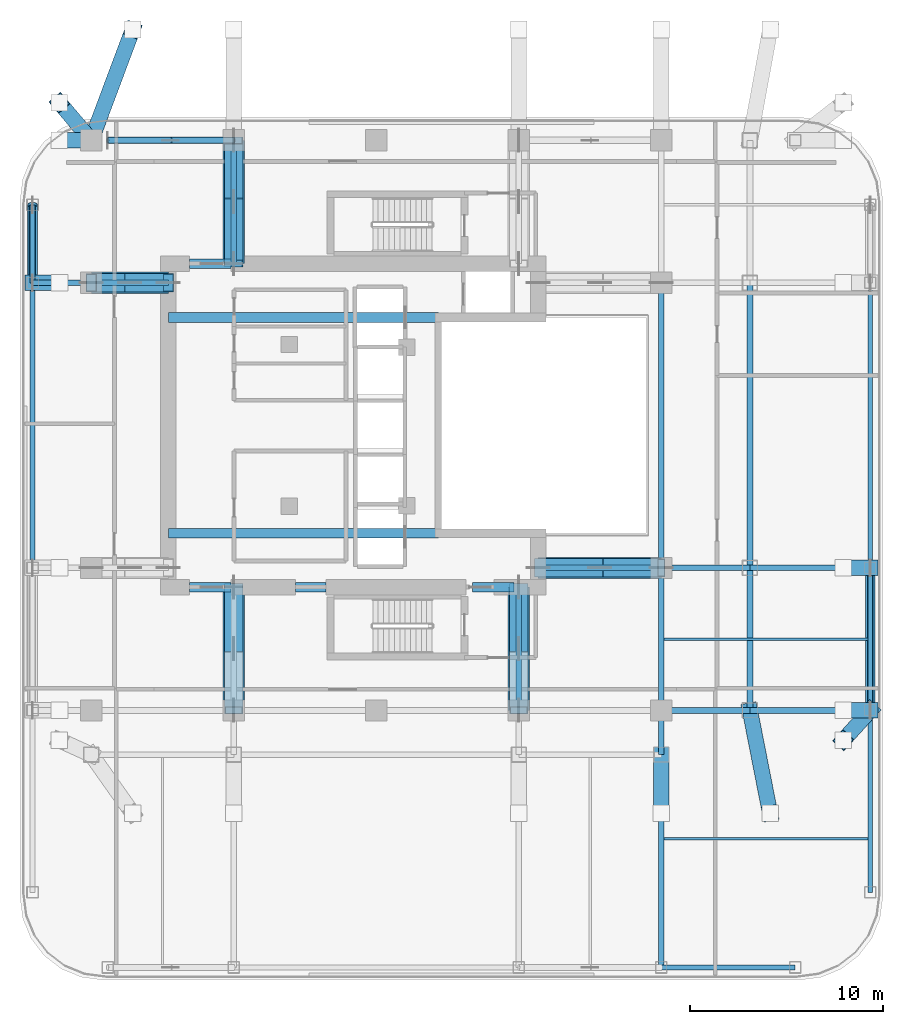
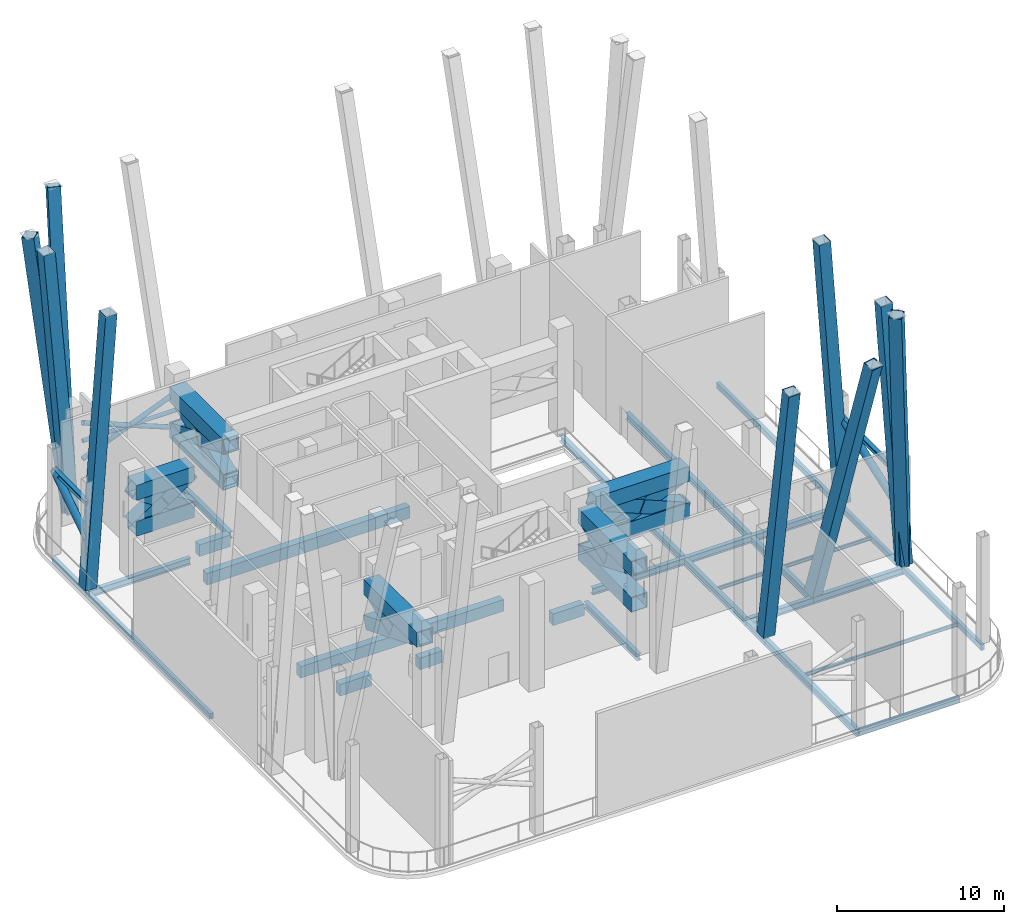
# One storey, part 2 of 9: 39 members, 29 beams.
"""IFC4 building model written with IfcOpenShell, lengths in metres."""

from ifc_helpers import new_model, si_unit, direction, frame, origin, origin_2d, place, context, subcontext, project, spatial, rectangle, hollow_rectangle, hollow_circle, i_section, extrude, material, material_profile, profile_set, type_object, element, save


model = new_model("IFC4")

# Units and contexts
model_context = context("Model", 3, precision=1e-05, world=origin(), true_north=direction((0.0, 1.0)))
body_context = subcontext(model_context, "Body", "Model", "MODEL_VIEW")
ifc_project = project(units=[si_unit("LENGTHUNIT", "METRE"), si_unit("AREAUNIT", "SQUARE_METRE"), si_unit("VOLUMEUNIT", "CUBIC_METRE"), si_unit("PLANEANGLEUNIT", "RADIAN"), si_unit("MASSUNIT", "GRAM", prefix="KILO")], contexts=[model_context])

# Site, building, storey
site_placement = place(None, origin())
site = spatial("IfcSite", under=ifc_project, at=site_placement, CompositionType="ELEMENT")
building_placement = place(site_placement, origin())
building = spatial("IfcBuilding", under=site, at=building_placement, Name="Khorvyn Point Tower", CompositionType="ELEMENT")
storey_placement = place(building_placement, frame((0.0, 0.0, 235.199951171875)))
storey = spatial("IfcBuildingStorey", under=building, at=storey_placement, Name="L58", CompositionType="ELEMENT", Elevation=235.199951171875)

# Beams
ifc_material_1 = material(Name="Concrete C45/55", Category="concrete")
ifc_material_profile_1 = material_profile(ifc_material_1, rectangle(XDim=0.5, YDim=0.85009765625, at=origin_2d()))
ifc_profile_set_1 = profile_set([ifc_material_profile_1], Name="Concrete C45/55 RC500x850")
beam_type_1 = type_object("IfcBeamType", Name="Concrete C45/55 Beam RC500x850", PredefinedType="BEAM", material=ifc_profile_set_1)
for number, where, z_axis, x_axis, name in (
    (1, (-10.800048828125, -5.60009765625, -0.724853515625), (1.0, 0.0, 0.0), (0.0, 1.0, 0.0), "L58 Core Internal Tie Girder S"),
    (2, (-10.800048828125, 5.60009765625, -0.724853515625), (1.0, 0.0, 0.0), (0.0, 1.0, 0.0), "L58 Core Internal Tie Girder N"),
):
    element("IfcBeam", number, at=place(storey_placement, frame(where, z_axis=z_axis, x_axis=x_axis)), inside=storey, type_object=beam_type_1, Name=name, PredefinedType="BEAM", context=body_context, shape_type="SweptSolid", body=[
        extrude(rectangle(XDim=0.5, YDim=0.85009765625, at=origin_2d()), origin(), (0.0, 0.0, 1.0), 14.02001953125),
    ])
beam_1_placement = place(storey_placement, frame((-9.699951171875, -8.39990234375, -0.724853515625), z_axis=(1.0, 0.0, 0.0), x_axis=(0.0, 1.0, 0.0)))
element("IfcBeam", 3, at=beam_1_placement, inside=storey, type_object=beam_type_1, Name="L58 Core Southwest Portal Coupling Beam", PredefinedType="BEAM", context=body_context, shape_type="SweptSolid", body=[
    extrude(rectangle(XDim=0.5, YDim=0.85009765625, at=origin_2d()), origin(), (0.0, 0.0, 1.0), 2.14990234375),
])
beam_2_placement = place(storey_placement, frame((-4.199951171875, -8.39990234375, -0.724853515625), z_axis=(1.0, 0.0, 0.0), x_axis=(0.0, 1.0, 0.0)))
element("IfcBeam", 4, at=beam_2_placement, inside=storey, type_object=beam_type_1, Name="L58 Core Shuttle Portal Coupling Beam", PredefinedType="BEAM", context=body_context, shape_type="SweptSolid", body=[
    extrude(rectangle(XDim=0.5, YDim=0.85009765625, at=origin_2d()), origin(), (0.0, 0.0, 1.0), 1.579833984375),
])
for number, where, z_axis, x_axis, name in (
    (5, (5.0, -8.39990234375, -0.724853515625), (1.0, 0.0, 0.0), (0.0, 1.0, 0.0), "L58 Core Southeast Portal Coupling Beam"),
    (6, (-9.699951171875, 8.39990234375, -0.724853515625), (1.0, 0.0, 0.0), (0.0, 1.0, 0.0), "L58 Core Northwest Portal Coupling Beam"),
):
    element("IfcBeam", number, at=place(storey_placement, frame(where, z_axis=z_axis, x_axis=x_axis)), inside=storey, type_object=beam_type_1, Name=name, PredefinedType="BEAM", context=body_context, shape_type="SweptSolid", body=[
        extrude(rectangle(XDim=0.5, YDim=0.85009765625, at=origin_2d()), origin(), (0.0, 0.0, 1.0), 2.14990234375),
    ])
ifc_material_2 = material(Name="Steel S355", Category="steel")
ifc_material_profile_2 = material_profile(ifc_material_2, i_section(OverallWidth=0.125, OverallDepth=0.25, WebThickness=0.006103515625, FlangeThickness=0.009033203125, at=origin_2d()))
ifc_profile_set_2 = profile_set([ifc_material_profile_2], Name="Steel S355 H250x125x6x9")
beam_type_2 = type_object("IfcBeamType", Name="Steel S355 Joist H250x125x6x9", PredefinedType="JOIST", material=ifc_profile_set_2)
for number, where, z_axis, x_axis, name in (
    (7, (14.949951171875, -11.10009765625, -0.425048828125), (1.0, 0.0, 0.0), (0.0, 1.0, 0.0), "Beam"),
    (8, (14.949951171875, -21.47509765625, -0.425048828125), (1.0, 0.0, 0.0), (0.0, 1.0, 0.0), "Beam"),
):
    element("IfcBeam", number, at=place(storey_placement, frame(where, z_axis=z_axis, x_axis=x_axis)), inside=storey, type_object=beam_type_2, Name=name, PredefinedType="JOIST", context=body_context, shape_type="SweptSolid", body=[
        extrude(i_section(OverallWidth=0.125, OverallDepth=0.25, WebThickness=0.006103515625, FlangeThickness=0.009033203125, at=origin_2d()), origin(), (0.0, 0.0, 1.0), 10.574951171875),
    ])
ifc_material_profile_3 = material_profile(ifc_material_2, i_section(OverallWidth=0.300048828125, OverallDepth=0.488037109375, WebThickness=0.010986328125, FlangeThickness=0.01806640625, at=origin_2d()))
ifc_profile_set_3 = profile_set([ifc_material_profile_3], Name="Steel S355 H488x300x11x18")
beam_type_3 = type_object("IfcBeamType", Name="Steel S355 Spandrel H488x300x11x18", PredefinedType="SPANDREL", material=ifc_profile_set_3)
beam_3_placement = place(storey_placement, frame((14.800048828125, -14.800048828125, -0.5439453125), z_axis=(1.0, 0.0, 0.0), x_axis=(0.0, 1.0, 0.0)))
element("IfcBeam", 9, at=beam_3_placement, inside=storey, type_object=beam_type_3, Name="Beam", PredefinedType="SPANDREL", context=body_context, shape_type="SweptSolid", body=[
    extrude(i_section(OverallWidth=0.300048828125, OverallDepth=0.488037109375, WebThickness=0.010986328125, FlangeThickness=0.01806640625, at=origin_2d()), origin(), (0.0, 0.0, 1.0), 4.599853515625),
])
beam_4_placement = place(storey_placement, frame((19.39990234375, -14.800048828125, -0.5439453125), z_axis=(1.0, 0.0, 0.0), x_axis=(0.0, 1.0, 0.0)))
element("IfcBeam", 10, at=beam_4_placement, inside=storey, type_object=beam_type_3, Name="Beam", PredefinedType="SPANDREL", context=body_context, shape_type="SweptSolid", body=[
    extrude(i_section(OverallWidth=0.300048828125, OverallDepth=0.488037109375, WebThickness=0.010986328125, FlangeThickness=0.01806640625, at=origin_2d()), origin(), (0.0, 0.0, 1.0), 6.25),
])
beam_5_placement = place(storey_placement, frame((8.39990234375, -7.39990234375, -0.5439453125), z_axis=(1.0, 0.0, 0.0), x_axis=(0.0, 1.0, 0.0)))
element("IfcBeam", 11, at=beam_5_placement, inside=storey, type_object=beam_type_3, Name="Beam", PredefinedType="SPANDREL", context=body_context, shape_type="SweptSolid", body=[
    extrude(i_section(OverallWidth=0.300048828125, OverallDepth=0.488037109375, WebThickness=0.010986328125, FlangeThickness=0.01806640625, at=origin_2d()), origin(), (0.0, 0.0, 1.0), 6.400146484375),
])
beam_6_placement = place(storey_placement, frame((14.800048828125, -7.39990234375, -0.5439453125), z_axis=(1.0, 0.0, 0.0), x_axis=(0.0, 1.0, 0.0)))
element("IfcBeam", 12, at=beam_6_placement, inside=storey, type_object=beam_type_3, Name="Beam", PredefinedType="SPANDREL", context=body_context, shape_type="SweptSolid", body=[
    extrude(i_section(OverallWidth=0.300048828125, OverallDepth=0.488037109375, WebThickness=0.010986328125, FlangeThickness=0.01806640625, at=origin_2d()), origin(), (0.0, 0.0, 1.0), 4.599853515625),
])
beam_7_placement = place(storey_placement, frame((19.39990234375, -7.39990234375, -0.5439453125), z_axis=(1.0, 0.0, 0.0), x_axis=(0.0, 1.0, 0.0)))
element("IfcBeam", 13, at=beam_7_placement, inside=storey, type_object=beam_type_3, Name="Beam", PredefinedType="SPANDREL", context=body_context, shape_type="SweptSolid", body=[
    extrude(i_section(OverallWidth=0.300048828125, OverallDepth=0.488037109375, WebThickness=0.010986328125, FlangeThickness=0.01806640625, at=origin_2d()), origin(), (0.0, 0.0, 1.0), 6.25),
])
beam_8_placement = place(storey_placement, frame((-17.85009765625, 7.39990234375, -0.5439453125), z_axis=(1.0, 0.0, 0.0), x_axis=(0.0, 1.0, 0.0)))
element("IfcBeam", 14, at=beam_8_placement, inside=storey, type_object=beam_type_3, Name="Beam", PredefinedType="SPANDREL", context=body_context, shape_type="SweptSolid", body=[
    extrude(i_section(OverallWidth=0.300048828125, OverallDepth=0.488037109375, WebThickness=0.010986328125, FlangeThickness=0.01806640625, at=origin_2d()), origin(), (0.0, 0.0, 1.0), 3.050048828125),
])
beam_9_placement = place(storey_placement, frame((-14.800048828125, 7.39990234375, -0.5439453125), z_axis=(1.0, 0.0, 0.0), x_axis=(0.0, 1.0, 0.0)))
element("IfcBeam", 15, at=beam_9_placement, inside=storey, type_object=beam_type_3, Name="Beam", PredefinedType="SPANDREL", context=body_context, shape_type="SweptSolid", body=[
    extrude(i_section(OverallWidth=0.300048828125, OverallDepth=0.488037109375, WebThickness=0.010986328125, FlangeThickness=0.01806640625, at=origin_2d()), origin(), (0.0, 0.0, 1.0), 4.0),
])
beam_10_placement = place(storey_placement, frame((14.800048828125, -28.14990234375, -0.5439453125), z_axis=(0.0, 1.0, 0.0), x_axis=(-1.0, 0.0, 0.0)))
element("IfcBeam", 16, at=beam_10_placement, inside=storey, type_object=beam_type_3, Name="Beam", PredefinedType="SPANDREL", context=body_context, shape_type="SweptSolid", body=[
    extrude(i_section(OverallWidth=0.300048828125, OverallDepth=0.488037109375, WebThickness=0.010986328125, FlangeThickness=0.01806640625, at=origin_2d()), origin(), (0.0, 0.0, 1.0), 11.0498046875),
])
beam_11_placement = place(storey_placement, frame((14.800048828125, -17.10009765625, -0.5439453125), z_axis=(0.0, 1.0, 0.0), x_axis=(-1.0, 0.0, 0.0)))
element("IfcBeam", 17, at=beam_11_placement, inside=storey, type_object=beam_type_3, Name="Beam", PredefinedType="SPANDREL", context=body_context, shape_type="SweptSolid", body=[
    extrude(i_section(OverallWidth=0.300048828125, OverallDepth=0.488037109375, WebThickness=0.010986328125, FlangeThickness=0.01806640625, at=origin_2d()), origin(), (0.0, 0.0, 1.0), 2.300048828125),
])
beam_12_placement = place(storey_placement, frame((14.800048828125, -14.800048828125, -0.5439453125), z_axis=(0.0, 1.0, 0.0), x_axis=(-1.0, 0.0, 0.0)))
element("IfcBeam", 18, at=beam_12_placement, inside=storey, type_object=beam_type_3, Name="Beam", PredefinedType="SPANDREL", context=body_context, shape_type="SweptSolid", body=[
    extrude(i_section(OverallWidth=0.300048828125, OverallDepth=0.488037109375, WebThickness=0.010986328125, FlangeThickness=0.01806640625, at=origin_2d()), origin(), (0.0, 0.0, 1.0), 7.400146484375),
])
beam_13_placement = place(storey_placement, frame((14.800048828125, -7.39990234375, -0.5439453125), z_axis=(0.0, 1.0, 0.0), x_axis=(-1.0, 0.0, 0.0)))
element("IfcBeam", 19, at=beam_13_placement, inside=storey, type_object=beam_type_3, Name="Beam", PredefinedType="SPANDREL", context=body_context, shape_type="SweptSolid", body=[
    extrude(i_section(OverallWidth=0.300048828125, OverallDepth=0.488037109375, WebThickness=0.010986328125, FlangeThickness=0.01806640625, at=origin_2d()), origin(), (0.0, 0.0, 1.0), 14.7998046875),
])
for number, where, z_axis, x_axis, name in (
    (20, (-7.39990234375, 8.39990234375, -0.5439453125), (0.0, 1.0, 0.0), (-1.0, 0.0, 0.0), "Beam"),
    (21, (7.39990234375, -14.800048828125, -0.5439453125), (0.0, 1.0, 0.0), (-1.0, 0.0, 0.0), "Beam"),
):
    element("IfcBeam", number, at=place(storey_placement, frame(where, z_axis=z_axis, x_axis=x_axis)), inside=storey, type_object=beam_type_3, Name=name, PredefinedType="SPANDREL", context=body_context, shape_type="SweptSolid", body=[
        extrude(i_section(OverallWidth=0.300048828125, OverallDepth=0.488037109375, WebThickness=0.010986328125, FlangeThickness=0.01806640625, at=origin_2d()), origin(), (0.0, 0.0, 1.0), 6.400146484375),
    ])
beam_14_placement = place(storey_placement, frame((19.39990234375, -14.800048828125, -0.5439453125), z_axis=(0.0, 1.0, 0.0), x_axis=(-1.0, 0.0, 0.0)))
element("IfcBeam", 22, at=beam_14_placement, inside=storey, type_object=beam_type_3, Name="Beam", PredefinedType="SPANDREL", context=body_context, shape_type="SweptSolid", body=[
    extrude(i_section(OverallWidth=0.300048828125, OverallDepth=0.488037109375, WebThickness=0.010986328125, FlangeThickness=0.01806640625, at=origin_2d()), origin(), (0.0, 0.0, 1.0), 7.400146484375),
])
beam_15_placement = place(storey_placement, frame((19.39990234375, -7.39990234375, -0.5439453125), z_axis=(0.0, 1.0, 0.0), x_axis=(-1.0, 0.0, 0.0)))
element("IfcBeam", 23, at=beam_15_placement, inside=storey, type_object=beam_type_3, Name="Beam", PredefinedType="SPANDREL", context=body_context, shape_type="SweptSolid", body=[
    extrude(i_section(OverallWidth=0.300048828125, OverallDepth=0.488037109375, WebThickness=0.010986328125, FlangeThickness=0.01806640625, at=origin_2d()), origin(), (0.0, 0.0, 1.0), 14.7998046875),
])
ifc_material_profile_4 = material_profile(ifc_material_2, hollow_rectangle(XDim=0.25, YDim=0.39990234375, WallThickness=0.01611328125, at=origin_2d()))
ifc_profile_set_4 = profile_set([ifc_material_profile_4], Name="Steel S355 RHS400x250x16")
beam_type_4 = type_object("IfcBeamType", Name="Steel S355 Spandrel RHS400x250x16", PredefinedType="SPANDREL", material=ifc_profile_set_4)
beam_16_placement = place(storey_placement, frame((14.800048828125, -28.14990234375, -0.5), z_axis=(1.0, 0.0, 0.0), x_axis=(0.0, 1.0, 0.0)))
element("IfcBeam", 24, at=beam_16_placement, inside=storey, type_object=beam_type_4, Name="Beam", PredefinedType="SPANDREL", context=body_context, shape_type="SweptSolid", body=[
    extrude(hollow_rectangle(XDim=0.25, YDim=0.39990234375, WallThickness=0.01611328125, at=origin_2d()), origin(), (0.0, 0.0, 1.0), 6.949951171875),
])
beam_17_placement = place(storey_placement, frame((-17.85009765625, -7.39990234375, -0.5), z_axis=(0.0, 1.0, 0.0), x_axis=(-1.0, 0.0, 0.0)))
element("IfcBeam", 25, at=beam_17_placement, inside=storey, type_object=beam_type_4, Name="Beam", PredefinedType="SPANDREL", context=body_context, shape_type="SweptSolid", body=[
    extrude(hollow_rectangle(XDim=0.25, YDim=0.39990234375, WallThickness=0.01611328125, at=origin_2d()), origin(), (0.0, 0.0, 1.0), 14.7998046875),
])
beam_18_placement = place(storey_placement, frame((-17.85009765625, 7.39990234375, -0.5), z_axis=(0.0, 1.0, 0.0), x_axis=(-1.0, 0.0, 0.0)))
element("IfcBeam", 26, at=beam_18_placement, inside=storey, type_object=beam_type_4, Name="Beam", PredefinedType="SPANDREL", context=body_context, shape_type="SweptSolid", body=[
    extrude(hollow_rectangle(XDim=0.25, YDim=0.39990234375, WallThickness=0.01611328125, at=origin_2d()), origin(), (0.0, 0.0, 1.0), 4.050048828125),
])
beam_19_placement = place(storey_placement, frame((25.64990234375, -24.25, -0.5), z_axis=(0.0, 1.0, 0.0), x_axis=(-1.0, 0.0, 0.0)))
element("IfcBeam", 27, at=beam_19_placement, inside=storey, type_object=beam_type_4, Name="Beam", PredefinedType="SPANDREL", context=body_context, shape_type="SweptSolid", body=[
    extrude(hollow_rectangle(XDim=0.25, YDim=0.39990234375, WallThickness=0.01611328125, at=origin_2d()), origin(), (0.0, 0.0, 1.0), 9.449951171875),
])
beam_20_placement = place(storey_placement, frame((25.64990234375, -14.800048828125, -0.5), z_axis=(0.0, 1.0, 0.0), x_axis=(-1.0, 0.0, 0.0)))
element("IfcBeam", 28, at=beam_20_placement, inside=storey, type_object=beam_type_4, Name="Beam", PredefinedType="SPANDREL", context=body_context, shape_type="SweptSolid", body=[
    extrude(hollow_rectangle(XDim=0.25, YDim=0.39990234375, WallThickness=0.01611328125, at=origin_2d()), origin(), (0.0, 0.0, 1.0), 7.400146484375),
])
beam_21_placement = place(storey_placement, frame((25.64990234375, -7.39990234375, -0.5), z_axis=(0.0, 1.0, 0.0), x_axis=(-1.0, 0.0, 0.0)))
element("IfcBeam", 29, at=beam_21_placement, inside=storey, type_object=beam_type_4, Name="Beam", PredefinedType="SPANDREL", context=body_context, shape_type="SweptSolid", body=[
    extrude(hollow_rectangle(XDim=0.25, YDim=0.39990234375, WallThickness=0.01611328125, at=origin_2d()), origin(), (0.0, 0.0, 1.0), 14.7998046875),
])

# Members
ifc_material_profile_5 = material_profile(ifc_material_2, hollow_circle(Radius=0.161865234375, WallThickness=0.012451171875, at=origin_2d()))
ifc_profile_set_5 = profile_set([ifc_material_profile_5], Name="Steel S355 CHS323.9x12.5")
member_type_1 = type_object("IfcMemberType", Name="Steel S355 Truss Brace CHS323.9x12.5", PredefinedType="BRACE", material=ifc_profile_set_5)
member_1_placement = place(storey_placement, frame((-13.949951171875, 14.800048828125, 3.449951171875), z_axis=(0.927982085746, 0.0, 0.372624809338), x_axis=(0.0, 1.0, 0.0)))
element("IfcMember", 30, at=member_1_placement, inside=storey, type_object=member_type_1, Name="BT-BR1-L58-N1", PredefinedType="BRACE", context=body_context, shape_type="SweptSolid", body=[
    extrude(hollow_circle(Radius=0.161865234375, WallThickness=0.012451171875, at=origin_2d()), origin(), (0.0, 0.0, 1.0), 7.058349609375),
])
member_2_placement = place(storey_placement, frame((-13.949951171875, 14.800048828125, 6.080078125), z_axis=(0.928183514972, 0.0, -0.372122778842), x_axis=(0.0, 1.0, 0.0)))
element("IfcMember", 31, at=member_2_placement, inside=storey, type_object=member_type_1, Name="BT-BR2A-L58-N1", PredefinedType="BRACE", context=body_context, shape_type="SweptSolid", body=[
    extrude(hollow_circle(Radius=0.161865234375, WallThickness=0.012451171875, at=origin_2d()), origin(), (0.0, 0.0, 1.0), 3.5068359375),
])
member_3_placement = place(storey_placement, frame((-10.655029296875, 14.800048828125, 4.755126953125), z_axis=(0.928169109461, 0.0, -0.372158708406), x_axis=(0.0, 1.0, 0.0)))
element("IfcMember", 32, at=member_3_placement, inside=storey, type_object=member_type_1, Name="BT-BR2B-L58-N1", PredefinedType="BRACE", context=body_context, shape_type="SweptSolid", body=[
    extrude(hollow_circle(Radius=0.161865234375, WallThickness=0.012451171875, at=origin_2d()), origin(), (0.0, 0.0, 1.0), 3.507080078125),
])
ifc_material_profile_6 = material_profile(ifc_material_2, hollow_circle(Radius=0.136474609375, WallThickness=0.010009765625, at=origin_2d()))
ifc_profile_set_6 = profile_set([ifc_material_profile_6], Name="Steel S355 CHS273x10")
member_type_2 = type_object("IfcMemberType", Name="Steel S355 Truss Chord CHS273x10", PredefinedType="CHORD", material=ifc_profile_set_6)
member_4_placement = place(storey_placement, frame((-13.949951171875, 14.800048828125, 4.76513671875), z_axis=(1.0, 0.0, 0.0), x_axis=(0.0, 1.0, 0.0)))
element("IfcMember", 33, at=member_4_placement, inside=storey, type_object=member_type_2, Name="L58 Belt Truss Chord", PredefinedType="CHORD", context=body_context, shape_type="SweptSolid", body=[
    extrude(hollow_circle(Radius=0.136474609375, WallThickness=0.010009765625, at=origin_2d()), origin(), (0.0, 0.0, 1.0), 6.550048828125),
])
ifc_material_profile_7 = material_profile(ifc_material_2, i_section(OverallWidth=0.300048828125, OverallDepth=0.300048828125, WebThickness=0.010009765625, FlangeThickness=0.014892578125, at=origin_2d()))
ifc_profile_set_7 = profile_set([ifc_material_profile_7], Name="Steel S355 H300x300x10x15")
member_type_3 = type_object("IfcMemberType", Name="Steel S355 Truss Chord H300x300x10x15", PredefinedType="CHORD", material=ifc_profile_set_7)
member_5_placement = place(storey_placement, frame((25.64990234375, -14.800048828125, 6.080078125), z_axis=(0.0, 1.0, 0.0), x_axis=(-1.0, 0.0, 0.0)))
element("IfcMember", 34, at=member_5_placement, inside=storey, type_object=member_type_3, Name="EXO-CH1-L58-E1", PredefinedType="CHORD", context=body_context, shape_type="SweptSolid", body=[
    extrude(i_section(OverallWidth=0.300048828125, OverallDepth=0.300048828125, WebThickness=0.010009765625, FlangeThickness=0.014892578125, at=origin_2d()), origin(), (0.0, 0.0, 1.0), 7.400146484375),
])
member_6_placement = place(storey_placement, frame((-17.85009765625, 7.39990234375, 6.080078125), z_axis=(0.0, 1.0, 0.0), x_axis=(-1.0, 0.0, 0.0)))
element("IfcMember", 35, at=member_6_placement, inside=storey, type_object=member_type_3, Name="EXO-CH1-L58-W2", PredefinedType="CHORD", context=body_context, shape_type="SweptSolid", body=[
    extrude(i_section(OverallWidth=0.300048828125, OverallDepth=0.300048828125, WebThickness=0.010009765625, FlangeThickness=0.014892578125, at=origin_2d()), origin(), (0.0, 0.0, 1.0), 4.050048828125),
])
ifc_material_3 = material(Name="Steel S450", Category="steel")
ifc_material_profile_8 = material_profile(ifc_material_3, hollow_rectangle(XDim=0.800048828125, YDim=0.800048828125, WallThickness=0.035888671875, at=origin_2d()))
ifc_profile_set_8 = profile_set([ifc_material_profile_8], Name="Steel S450 BOX800x800x36")
member_type_4 = type_object("IfcMemberType", Name="Steel S450 Exoskeleton Structural Post BOX800x800x36", PredefinedType="POST", material=ifc_profile_set_8)
member_7_placement = place(storey_placement, frame((19.39990234375, -14.800048828125, 0.0), z_axis=(0.051859889035, -0.264218960342, 0.963067439438), x_axis=(0.981277091713, 0.192601322113, 0.0)))
element("IfcMember", 36, at=member_7_placement, inside=storey, type_object=member_type_4, Name="L58 to L62 Exoskeleton Transfer Post 02", PredefinedType="POST", context=body_context, shape_type="SweptSolid", body=[
    extrude(hollow_rectangle(XDim=0.800048828125, YDim=0.800048828125, WallThickness=0.035888671875, at=origin_2d()), origin(), (0.0, 0.0, 1.0), 20.247802734375),
])
member_8_placement = place(storey_placement, frame((-14.800048828125, 14.800048828125, 0.0), z_axis=(0.105175200777, 0.281263350597, 0.953849623763), x_axis=(-0.936655645968, 0.350251625087, 0.0)))
element("IfcMember", 37, at=member_8_placement, inside=storey, type_object=member_type_4, Name="L58 to L62 Exoskeleton Transfer Post 03", PredefinedType="POST", context=body_context, shape_type="SweptSolid", body=[
    extrude(hollow_rectangle(XDim=0.800048828125, YDim=0.800048828125, WallThickness=0.035888671875, at=origin_2d()), origin(), (0.0, 0.0, 1.0), 20.443359375),
])
member_9_placement = place(storey_placement, frame((-14.800048828125, 14.800048828125, 0.0), z_axis=(-0.083893696371, 0.099150481343, 0.991529641392), x_axis=(-0.763397161601, -0.645929387518, 0.0)))
element("IfcMember", 38, at=member_9_placement, inside=storey, type_object=member_type_4, Name="L58 to L62 Exoskeleton Transfer Post 06", PredefinedType="POST", context=body_context, shape_type="SweptSolid", body=[
    extrude(hollow_rectangle(XDim=0.800048828125, YDim=0.800048828125, WallThickness=0.035888671875, at=origin_2d()), origin(), (0.0, 0.0, 1.0), 19.66650390625),
])
member_10_placement = place(storey_placement, frame((25.64990234375, -14.800048828125, 0.0), z_axis=(-0.071381572687, -0.079037601149, 0.994312691604), x_axis=(0.742136402671, -0.670248879023, 0.0)))
element("IfcMember", 39, at=member_10_placement, inside=storey, type_object=member_type_4, Name="L58 to L62 Exoskeleton Transfer Post 07", PredefinedType="POST", context=body_context, shape_type="SweptSolid", body=[
    extrude(hollow_rectangle(XDim=0.800048828125, YDim=0.800048828125, WallThickness=0.035888671875, at=origin_2d()), origin(), (0.0, 0.0, 1.0), 19.611572265625),
])
member_11_placement = place(storey_placement, frame((14.800048828125, -17.10009765625, 0.0), z_axis=(0.0, -0.154521776961, 0.987989382759), x_axis=(1.0, 0.0, 0.0)))
element("IfcMember", 40, at=member_11_placement, inside=storey, type_object=member_type_4, Name="L58 to L62 Exoskeleton Transfer Post 13", PredefinedType="POST", context=body_context, shape_type="SweptSolid", body=[
    extrude(hollow_rectangle(XDim=0.800048828125, YDim=0.800048828125, WallThickness=0.035888671875, at=origin_2d()), origin(), (0.0, 0.0, 1.0), 19.737060546875),
])
for number, where, z_axis, x_axis, name in (
    (41, (25.64990234375, -14.800048828125, 0.0), (-0.071605581047, 0.0, 0.997433025703), (0.0, -1.0, 0.0), "L58 to L62 Exoskeleton Transfer Post 16"),
    (42, (25.64990234375, -7.39990234375, 0.0), (-0.071605581047, 0.0, 0.997433025703), (0.0, -1.0, 0.0), "L58 to L62 Exoskeleton Transfer Post 18"),
    (43, (-17.85009765625, 7.39990234375, 0.0), (0.071618004894, 0.0, 0.997432133719), (0.0, 1.0, 0.0), "L58 to L62 Exoskeleton Transfer Post 19"),
):
    element("IfcMember", number, at=place(storey_placement, frame(where, z_axis=z_axis, x_axis=x_axis)), inside=storey, type_object=member_type_4, Name=name, PredefinedType="POST", context=body_context, shape_type="SweptSolid", body=[
        extrude(hollow_rectangle(XDim=0.800048828125, YDim=0.800048828125, WallThickness=0.035888671875, at=origin_2d()), origin(), (0.0, 0.0, 1.0), 19.55029296875),
    ])
member_12_placement = place(storey_placement, frame((-14.800048828125, 14.800048828125, 0.0), z_axis=(-0.084309133788, 0.0, 0.996439646923), x_axis=(0.0, -1.0, 0.0)))
element("IfcMember", 44, at=member_12_placement, inside=storey, type_object=member_type_4, Name="L58 to L62 Exoskeleton Transfer Post 21", PredefinedType="POST", context=body_context, shape_type="SweptSolid", body=[
    extrude(hollow_rectangle(XDim=0.800048828125, YDim=0.800048828125, WallThickness=0.035888671875, at=origin_2d()), origin(), (0.0, 0.0, 1.0), 19.569580078125),
])
ifc_material_profile_9 = material_profile(ifc_material_3, hollow_rectangle(XDim=0.949951171875, YDim=0.949951171875, WallThickness=0.0400390625, at=origin_2d()))
ifc_profile_set_9 = profile_set([ifc_material_profile_9], Name="Steel S450 BOX950x950x40")
member_type_5 = type_object("IfcMemberType", Name="Steel S450 Truss Brace BOX950x950x40", PredefinedType="BRACE", material=ifc_profile_set_9)
member_13_placement = place(storey_placement, frame((-10.800048828125, 7.39990234375, 3.449951171875), z_axis=(-0.83555632099, 0.0, 0.549404800173), x_axis=(0.0, -1.0, 0.0)))
element("IfcMember", 45, at=member_13_placement, inside=storey, type_object=member_type_5, Name="OT-BR1-L58-WN", PredefinedType="BRACE", context=body_context, shape_type="SweptSolid", body=[
    extrude(hollow_rectangle(XDim=0.949951171875, YDim=0.949951171875, WallThickness=0.0400390625, at=origin_2d()), origin(), (0.0, 0.0, 1.0), 4.787109375),
])
member_14_placement = place(storey_placement, frame((-10.800048828125, 7.39990234375, 6.080078125), z_axis=(-0.835545615309, 0.0, -0.549421081447), x_axis=(0.0, -1.0, 0.0)))
element("IfcMember", 46, at=member_14_placement, inside=storey, type_object=member_type_5, Name="OT-BR2A-L58-WN", PredefinedType="BRACE", context=body_context, shape_type="SweptSolid", body=[
    extrude(hollow_rectangle(XDim=0.949951171875, YDim=0.949951171875, WallThickness=0.0400390625, at=origin_2d()), origin(), (0.0, 0.0, 1.0), 2.363525390625),
])
member_15_placement = place(storey_placement, frame((-12.824951171875, 7.39990234375, 4.74853515625), z_axis=(-0.83557679198, 0.0, -0.549373665827), x_axis=(0.0, -1.0, 0.0)))
element("IfcMember", 47, at=member_15_placement, inside=storey, type_object=member_type_5, Name="OT-BR2B-L58-WN", PredefinedType="BRACE", context=body_context, shape_type="SweptSolid", body=[
    extrude(hollow_rectangle(XDim=0.949951171875, YDim=0.949951171875, WallThickness=0.0400390625, at=origin_2d()), origin(), (0.0, 0.0, 1.0), 2.36376953125),
])
member_16_placement = place(storey_placement, frame((8.39990234375, -7.39990234375, 3.449951171875), z_axis=(0.924943852395, 0.0, 0.380103762039), x_axis=(0.0, 1.0, 0.0)))
element("IfcMember", 48, at=member_16_placement, inside=storey, type_object=member_type_5, Name="OT-BR1-L58-ES", PredefinedType="BRACE", context=body_context, shape_type="SweptSolid", body=[
    extrude(hollow_rectangle(XDim=0.949951171875, YDim=0.949951171875, WallThickness=0.0400390625, at=origin_2d()), origin(), (0.0, 0.0, 1.0), 6.91943359375),
])
for number, where, z_axis, x_axis, name in (
    (49, (8.39990234375, -7.39990234375, 6.080078125), (0.924953299929, 0.0, -0.380080771613), (0.0, 1.0, 0.0), "OT-BR2A-L58-ES"),
    (50, (11.625, -7.39990234375, 4.754638671875), (0.924953299929, 0.0, -0.380080771613), (0.0, 1.0, 0.0), "OT-BR2B-L58-ES"),
):
    element("IfcMember", number, at=place(storey_placement, frame(where, z_axis=z_axis, x_axis=x_axis)), inside=storey, type_object=member_type_5, Name=name, PredefinedType="BRACE", context=body_context, shape_type="SweptSolid", body=[
        extrude(hollow_rectangle(XDim=0.949951171875, YDim=0.949951171875, WallThickness=0.0400390625, at=origin_2d()), origin(), (0.0, 0.0, 1.0), 3.4326171875),
    ])
member_17_placement = place(storey_placement, frame((-7.39990234375, -8.39990234375, 3.449951171875), z_axis=(0.0, -0.924943852395, 0.380103762039), x_axis=(1.0, 0.0, 0.0)))
element("IfcMember", 51, at=member_17_placement, inside=storey, type_object=member_type_5, Name="OT-BR1-L58-SW", PredefinedType="BRACE", context=body_context, shape_type="SweptSolid", body=[
    extrude(hollow_rectangle(XDim=0.949951171875, YDim=0.949951171875, WallThickness=0.0400390625, at=origin_2d()), origin(), (0.0, 0.0, 1.0), 6.91943359375),
])
member_18_placement = place(storey_placement, frame((-7.39990234375, -8.39990234375, 6.080078125), z_axis=(0.0, -0.924953299929, -0.380080771613), x_axis=(1.0, 0.0, 0.0)))
element("IfcMember", 52, at=member_18_placement, inside=storey, type_object=member_type_5, Name="OT-BR2A-L58-SW", PredefinedType="BRACE", context=body_context, shape_type="SweptSolid", body=[
    extrude(hollow_rectangle(XDim=0.949951171875, YDim=0.949951171875, WallThickness=0.0400390625, at=origin_2d()), origin(), (0.0, 0.0, 1.0), 3.4326171875),
])
member_19_placement = place(storey_placement, frame((7.39990234375, -8.39990234375, 3.449951171875), z_axis=(0.0, -0.924943852395, 0.380103762039), x_axis=(1.0, 0.0, 0.0)))
element("IfcMember", 53, at=member_19_placement, inside=storey, type_object=member_type_5, Name="OT-BR1-L58-SE", PredefinedType="BRACE", context=body_context, shape_type="SweptSolid", body=[
    extrude(hollow_rectangle(XDim=0.949951171875, YDim=0.949951171875, WallThickness=0.0400390625, at=origin_2d()), origin(), (0.0, 0.0, 1.0), 6.91943359375),
])
member_20_placement = place(storey_placement, frame((7.39990234375, -8.39990234375, 6.080078125), z_axis=(0.0, -0.924953299929, -0.380080771613), x_axis=(1.0, 0.0, 0.0)))
element("IfcMember", 54, at=member_20_placement, inside=storey, type_object=member_type_5, Name="OT-BR2A-L58-SE", PredefinedType="BRACE", context=body_context, shape_type="SweptSolid", body=[
    extrude(hollow_rectangle(XDim=0.949951171875, YDim=0.949951171875, WallThickness=0.0400390625, at=origin_2d()), origin(), (0.0, 0.0, 1.0), 3.4326171875),
])
member_21_placement = place(storey_placement, frame((-7.39990234375, 8.39990234375, 3.449951171875), z_axis=(0.0, 0.924943852395, 0.380103762039), x_axis=(-1.0, 0.0, 0.0)))
element("IfcMember", 55, at=member_21_placement, inside=storey, type_object=member_type_5, Name="OT-BR1-L58-NW", PredefinedType="BRACE", context=body_context, shape_type="SweptSolid", body=[
    extrude(hollow_rectangle(XDim=0.949951171875, YDim=0.949951171875, WallThickness=0.0400390625, at=origin_2d()), origin(), (0.0, 0.0, 1.0), 6.91943359375),
])
for number, where, z_axis, x_axis, name in (
    (56, (-7.39990234375, 8.39990234375, 6.080078125), (0.0, 0.924953299929, -0.380080771613), (-1.0, 0.0, 0.0), "OT-BR2A-L58-NW"),
    (57, (-7.39990234375, 11.625, 4.754638671875), (0.0, 0.924953299929, -0.380080771613), (-1.0, 0.0, 0.0), "OT-BR2B-L58-NW"),
):
    element("IfcMember", number, at=place(storey_placement, frame(where, z_axis=z_axis, x_axis=x_axis)), inside=storey, type_object=member_type_5, Name=name, PredefinedType="BRACE", context=body_context, shape_type="SweptSolid", body=[
        extrude(hollow_rectangle(XDim=0.949951171875, YDim=0.949951171875, WallThickness=0.0400390625, at=origin_2d()), origin(), (0.0, 0.0, 1.0), 3.4326171875),
    ])
ifc_material_profile_10 = material_profile(ifc_material_3, hollow_circle(Radius=0.25390625, WallThickness=0.02001953125, at=origin_2d()))
ifc_profile_set_10 = profile_set([ifc_material_profile_10], Name="Steel S450 CHS508x20")
member_type_6 = type_object("IfcMemberType", Name="Steel S450 Truss Brace CHS508x20", PredefinedType="BRACE", material=ifc_profile_set_10)
member_22_placement = place(storey_placement, frame((25.64990234375, -14.800048828125, 3.449951171875), z_axis=(0.0, 0.942256331258, 0.334892529334), x_axis=(-1.0, 0.0, 0.0)))
element("IfcMember", 58, at=member_22_placement, inside=storey, type_object=member_type_6, Name="EXO-BR1-L58-E1", PredefinedType="BRACE", context=body_context, shape_type="SweptSolid", body=[
    extrude(hollow_circle(Radius=0.25390625, WallThickness=0.02001953125, at=origin_2d()), origin(), (0.0, 0.0, 1.0), 7.853759765625),
])
member_23_placement = place(storey_placement, frame((-17.85009765625, 7.39990234375, 3.449951171875), z_axis=(0.0, 0.838671088995, 0.544638232669), x_axis=(-1.0, 0.0, 0.0)))
element("IfcMember", 59, at=member_23_placement, inside=storey, type_object=member_type_6, Name="EXO-BR1-L58-W2", PredefinedType="BRACE", context=body_context, shape_type="SweptSolid", body=[
    extrude(hollow_circle(Radius=0.25390625, WallThickness=0.02001953125, at=origin_2d()), origin(), (0.0, 0.0, 1.0), 4.8291015625),
])
ifc_material_profile_11 = material_profile(ifc_material_3, hollow_rectangle(XDim=1.10009765625, YDim=1.10009765625, WallThickness=0.044921875, at=origin_2d()))
ifc_profile_set_11 = profile_set([ifc_material_profile_11], Name="Steel S450 BOX1100x1100x45")
member_type_7 = type_object("IfcMemberType", Name="Steel S450 Truss Chord BOX1100x1100x45", PredefinedType="CHORD", material=ifc_profile_set_11)
for number, where, z_axis, x_axis, name in (
    (60, (-10.800048828125, 7.39990234375, 3.449951171875), (-1.0, 0.0, 0.0), (0.0, -1.0, 0.0), "L58 Outrigger Truss Chord"),
    (61, (-10.800048828125, 7.39990234375, 6.080078125), (-1.0, 0.0, 0.0), (0.0, -1.0, 0.0), "L58 Outrigger Truss Chord"),
):
    element("IfcMember", number, at=place(storey_placement, frame(where, z_axis=z_axis, x_axis=x_axis)), inside=storey, type_object=member_type_7, Name=name, PredefinedType="CHORD", context=body_context, shape_type="SweptSolid", body=[
        extrude(hollow_rectangle(XDim=1.10009765625, YDim=1.10009765625, WallThickness=0.044921875, at=origin_2d()), origin(), (0.0, 0.0, 1.0), 4.0),
    ])
for number, where, z_axis, x_axis, name in (
    (62, (8.39990234375, -7.39990234375, 3.449951171875), (1.0, 0.0, 0.0), (0.0, 1.0, 0.0), "L58 Outrigger Truss Chord"),
    (63, (8.39990234375, -7.39990234375, 6.080078125), (1.0, 0.0, 0.0), (0.0, 1.0, 0.0), "L58 Outrigger Truss Chord"),
    (64, (-7.39990234375, -8.39990234375, 6.080078125), (0.0, -1.0, 0.0), (1.0, 0.0, 0.0), "L58 Outrigger Truss Chord"),
    (65, (7.39990234375, -8.39990234375, 3.449951171875), (0.0, -1.0, 0.0), (1.0, 0.0, 0.0), "L58 Outrigger Truss Chord"),
    (66, (7.39990234375, -8.39990234375, 6.080078125), (0.0, -1.0, 0.0), (1.0, 0.0, 0.0), "L58 Outrigger Truss Chord"),
    (67, (-7.39990234375, 8.39990234375, 3.449951171875), (0.0, 1.0, 0.0), (-1.0, 0.0, 0.0), "L58 Outrigger Truss Chord"),
    (68, (-7.39990234375, 8.39990234375, 6.080078125), (0.0, 1.0, 0.0), (-1.0, 0.0, 0.0), "L58 Outrigger Truss Chord"),
):
    element("IfcMember", number, at=place(storey_placement, frame(where, z_axis=z_axis, x_axis=x_axis)), inside=storey, type_object=member_type_7, Name=name, PredefinedType="CHORD", context=body_context, shape_type="SweptSolid", body=[
        extrude(hollow_rectangle(XDim=1.10009765625, YDim=1.10009765625, WallThickness=0.044921875, at=origin_2d()), origin(), (0.0, 0.0, 1.0), 6.400146484375),
    ])

save(model, "model.ifc")
